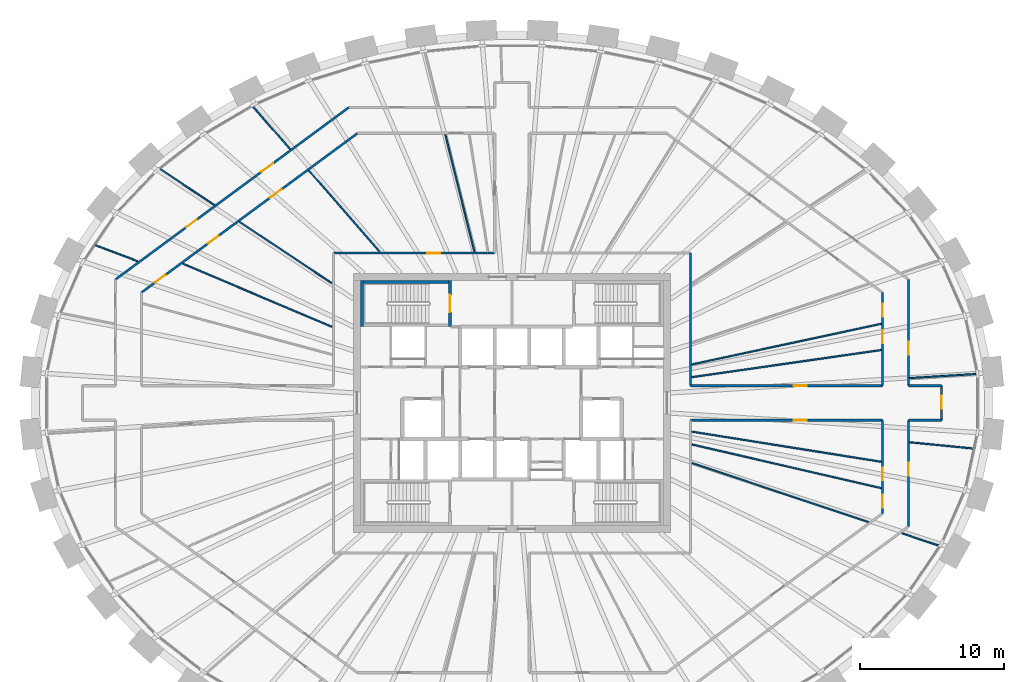
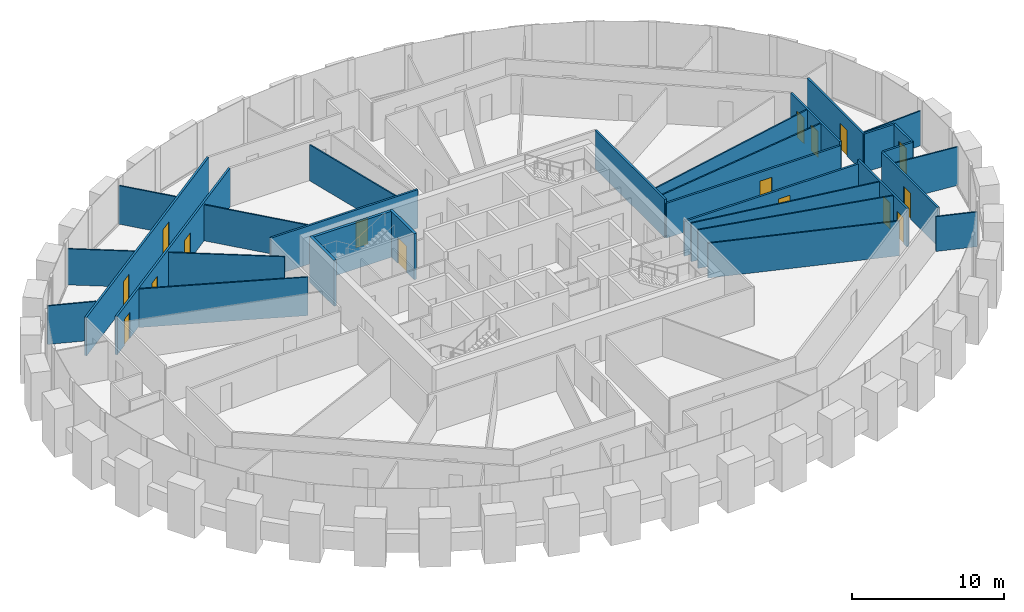
# One storey, part 9 of 12: 31 walls, 16 doors, 16 openings.
"""IFC4 building model written with IfcOpenShell, lengths in metres."""

from ifc_helpers import new_model, si_unit, direction, frame, frame_2d, origin, place, context, subcontext, project, spatial, rectangle, extrude, source, transform, mapped, material, layer, layer_set, type_object, element, fill, save


model = new_model("IFC4")

# Units and contexts
model_context = context("Model", 3, precision=1e-05, world=origin(), true_north=direction((0.0, 1.0)))
body_context = subcontext(model_context, "Body", "Model", "MODEL_VIEW")
ifc_project = project(units=[si_unit("LENGTHUNIT", "METRE"), si_unit("AREAUNIT", "SQUARE_METRE"), si_unit("VOLUMEUNIT", "CUBIC_METRE"), si_unit("PLANEANGLEUNIT", "RADIAN"), si_unit("MASSUNIT", "GRAM", prefix="KILO")], contexts=[model_context])

# Site, building, storey
site_placement = place(None, origin())
site = spatial("IfcSite", under=ifc_project, at=site_placement, CompositionType="ELEMENT")
building_placement = place(site_placement, origin())
building = spatial("IfcBuilding", under=site, at=building_placement, Name="Embergate Tower", CompositionType="ELEMENT")
storey_placement = place(building_placement, frame((0.0, 0.0, 250.0)))
storey = spatial("IfcBuildingStorey", under=building, at=storey_placement, Name="L57", CompositionType="ELEMENT", Elevation=250.0)

# Wall, opening, door
ifc_material_1 = material(Name="Concrete C50", Category="concrete")
ifc_layer_1 = layer(ifc_material_1, 0.199951171875)
ifc_layer_set_1 = layer_set([ifc_layer_1], Name="Concrete C50")
wall_type_1 = type_object("IfcWallType", Name="Stair enclosure wall reinforced concrete 250", PredefinedType="SHEAR", material=ifc_layer_set_1)
shared_shape_1 = source(origin(), body_context, "Body", "SweptSolid", [
    extrude(rectangle(XDim=3.199951171875, YDim=0.199951171875, at=frame_2d((1.60009765625, 0.0))), origin(), (0.0, 0.0, 1.0), 3.699951171875),
])
wall_1_placement = place(storey_placement, frame((-4.300048828125, 5.300048828125, 0.0), z_axis=(0.0, 0.0, 1.0), x_axis=(0.0, 1.0, 0.0)))
wall_1 = element("IfcWall", 1, at=wall_1_placement, inside=storey, type_object=wall_type_1, Name="SE-1 wall", PredefinedType="SHEAR", context=body_context, shape_type="MappedRepresentation", body=[
    mapped(shared_shape_1, transform((0.0, 0.0, 0.0))),
])
shared_shape_2 = source(origin(), body_context, "Body", "SweptSolid", [
    extrude(rectangle(XDim=1.199951171875, YDim=2.10009765625, at=frame_2d((0.60009765625, 1.050048828125))), frame((0.0, 0.10986328125, 0.0), z_axis=(0.0, -1.0, 0.0), x_axis=(1.0, 0.0, 0.0)), (0.0, 0.0, 1.0), 0.219970703125),
])
opening_1_placement = place(wall_1_placement, frame((1.0, 0.0, 0.0)))
opening_1 = element("IfcOpeningElement", 2, at=opening_1_placement, cuts=wall_1, Name="Opening IF-2", PredefinedType="OPENING", context=body_context, shape_type="MappedRepresentation", body=[
    mapped(shared_shape_2, transform((0.0, 0.0, 0.0))),
])
ifc_material_2 = material(Name="Stair enclosure door 1200")
door_type_1 = type_object("IfcDoorType", Name="Stair enclosure door 1200", OperationType="SINGLE_SWING_LEFT", PredefinedType="DOOR", material=ifc_material_2)
shared_shape_3 = source(origin(), body_context, "Body", "SweptSolid", [
    extrude(rectangle(XDim=1.199951171875, YDim=2.10009765625, at=frame_2d((0.60009765625, 1.050048828125))), frame((0.0, 0.02490234375, 0.0), z_axis=(0.0, -1.0, 0.0), x_axis=(1.0, 0.0, 0.0)), (0.0, 0.0, 1.0), 0.050048828125),
])
door_1_placement = place(opening_1_placement, origin())
door_1 = element("IfcDoor", 3, at=door_1_placement, inside=storey, type_object=door_type_1, Name="IF-2 door", OperationType="SINGLE_SWING_LEFT", OverallHeight=2.10009765625, OverallWidth=1.199951171875, PredefinedType="DOOR", context=body_context, shape_type="MappedRepresentation", body=[
    mapped(shared_shape_3, transform((0.0, 0.0, 0.0))),
])
fill(opening_1, door_1)

# Walls
ifc_material_3 = material(Name="Partition dry-lined 100")
ifc_layer_2 = layer(ifc_material_3, 0.10009765625)
ifc_layer_set_2 = layer_set([ifc_layer_2], Name="Partition dry-lined 100")
wall_type_2 = type_object("IfcWallType", Name="Partition dry-lined 100", PredefinedType="PARTITIONING", material=ifc_layer_set_2)
shared_shape_4 = source(origin(), body_context, "Body", "SweptSolid", [
    extrude(rectangle(XDim=8.3916015625, YDim=0.10009765625, at=frame_2d((4.19580078125, 0.0))), origin(), (0.0, 0.0, 1.0), 2.89990234375),
])
wall_2_placement = place(storey_placement, frame((-2.60400390625, 10.487060546875, 0.0), z_axis=(0.0, 0.0, 1.0), x_axis=(-0.241070395173, 0.970507632413, 0.0)))
element("IfcWall", 4, at=wall_2_placement, inside=storey, type_object=wall_type_2, Name="IP-1 wall", PredefinedType="PARTITIONING", context=body_context, shape_type="MappedRepresentation", body=[
    mapped(shared_shape_4, transform((0.0, 0.0, 0.0))),
])
shared_shape_5 = source(origin(), body_context, "Body", "SweptSolid", [
    extrude(rectangle(XDim=4.567138671875, YDim=0.10009765625, at=frame_2d((2.28369140625, 0.0))), origin(), (0.0, 0.0, 1.0), 2.89990234375),
])
wall_3_placement = place(storey_placement, frame((-20.6630859375, 13.742919921875, 0.0), z_axis=(0.0, 0.0, 1.0), x_axis=(-0.832682999304, 0.553749964036, 0.0)))
element("IfcWall", 5, at=wall_3_placement, inside=storey, type_object=wall_type_2, Name="IP-1 wall", PredefinedType="PARTITIONING", context=body_context, shape_type="MappedRepresentation", body=[
    mapped(shared_shape_5, transform((0.0, 0.0, 0.0))),
])
shared_shape_6 = source(origin(), body_context, "Body", "SweptSolid", [
    extrude(rectangle(XDim=7.473876953125, YDim=0.10009765625, at=frame_2d((3.73681640625, 0.0))), origin(), (0.0, 0.0, 1.0), 2.89990234375),
])
wall_4_placement = place(storey_placement, frame((-9.18505859375, 10.508056640625, 0.0), z_axis=(0.0, 0.0, 1.0), x_axis=(-0.658153016014, 0.752884192629, 0.0)))
element("IfcWall", 6, at=wall_4_placement, inside=storey, type_object=wall_type_2, Name="IP-1 wall", PredefinedType="PARTITIONING", context=body_context, shape_type="MappedRepresentation", body=[
    mapped(shared_shape_6, transform((0.0, 0.0, 0.0))),
])
shared_shape_7 = source(origin(), body_context, "Body", "SweptSolid", [
    extrude(rectangle(XDim=7.690185546875, YDim=0.10009765625, at=frame_2d((3.84521484375, 0.0))), origin(), (0.0, 0.0, 1.0), 2.89990234375),
])
wall_5_placement = place(storey_placement, frame((-12.5029296875, 8.31494140625, 0.0), z_axis=(0.0, 0.0, 1.0), x_axis=(-0.83263105363, 0.553828067662, 0.0)))
element("IfcWall", 7, at=wall_5_placement, inside=storey, type_object=wall_type_2, Name="IP-1 wall", PredefinedType="PARTITIONING", context=body_context, shape_type="MappedRepresentation", body=[
    mapped(shared_shape_7, transform((0.0, 0.0, 0.0))),
])
shared_shape_8 = source(origin(), body_context, "Body", "SweptSolid", [
    extrude(rectangle(XDim=6.298095703125, YDim=0.199951171875, at=frame_2d((3.14892578125, 0.0))), origin(), (0.0, 0.0, 1.0), 3.699951171875),
])
wall_6_placement = place(storey_placement, frame((-4.201904296875, 8.39990234375, 0.0), z_axis=(0.0, 0.0, 1.0), x_axis=(-1.0, 0.0, 0.0)))
element("IfcWall", 8, at=wall_6_placement, inside=storey, type_object=wall_type_1, Name="SE-1 wall", PredefinedType="SHEAR", context=body_context, shape_type="MappedRepresentation", body=[
    mapped(shared_shape_8, transform((0.0, 0.0, 0.0))),
])
shared_shape_9 = source(origin(), body_context, "Body", "SweptSolid", [
    extrude(rectangle(XDim=3.197998046875, YDim=0.199951171875, at=frame_2d((1.59912109375, 0.0))), origin(), (0.0, 0.0, 1.0), 3.699951171875),
])
wall_7_placement = place(storey_placement, frame((-10.39990234375, 8.5, 0.0), z_axis=(0.0, 0.0, 1.0), x_axis=(0.0, -1.0, 0.0)))
element("IfcWall", 9, at=wall_7_placement, inside=storey, type_object=wall_type_1, Name="SE-1 wall", PredefinedType="SHEAR", context=body_context, shape_type="MappedRepresentation", body=[
    mapped(shared_shape_9, transform((0.0, 0.0, 0.0))),
])

# Wall, opening, door
ifc_material_4 = material(Name="Corridor wall dry-lined 150 wet")
ifc_layer_3 = layer(ifc_material_4, 0.14990234375)
ifc_layer_set_3 = layer_set([ifc_layer_3], Name="Corridor wall dry-lined 150 wet")
wall_type_3 = type_object("IfcWallType", Name="Corridor wall dry-lined 150 wet", PredefinedType="PLUMBINGWALL", material=ifc_layer_set_3)
shared_shape_10 = source(origin(), body_context, "Body", "SweptSolid", [
    extrude(rectangle(XDim=7.381103515625, YDim=0.14990234375, at=frame_2d((3.6904296875, 0.0))), origin(), (0.0, 0.0, 1.0), 3.10009765625),
])
wall_8_placement = place(storey_placement, frame((27.510986328125, -8.5810546875, 0.0), z_axis=(0.0, 0.0, 1.0), x_axis=(0.0, 1.0, 0.0)))
wall_8 = element("IfcWall", 10, at=wall_8_placement, inside=storey, type_object=wall_type_3, Name="IP-2 wall", PredefinedType="PLUMBINGWALL", context=body_context, shape_type="MappedRepresentation", body=[
    mapped(shared_shape_10, transform((0.0, 0.0, 0.0))),
])
shared_shape_11 = source(origin(), body_context, "Body", "SweptSolid", [
    extrude(rectangle(XDim=0.89990234375, YDim=2.10009765625, at=frame_2d((0.449951171875, 1.050048828125))), frame((0.0, 0.0849609375, 0.0), z_axis=(0.0, -1.0, 0.0), x_axis=(1.0, 0.0, 0.0)), (0.0, 0.0, 1.0), 0.169921875),
])
opening_2_placement = place(wall_8_placement, frame((3.533447265625, 0.0, 0.0)))
opening_2 = element("IfcOpeningElement", 11, at=opening_2_placement, cuts=wall_8, Name="Opening IF-1c", PredefinedType="OPENING", context=body_context, shape_type="MappedRepresentation", body=[
    mapped(shared_shape_11, transform((0.0, 0.0, 0.0))),
])
ifc_material_5 = material(Name="Escape fire door 900")
door_type_2 = type_object("IfcDoorType", Name="Escape fire door 900", OperationType="SINGLE_SWING_LEFT", PredefinedType="DOOR", material=ifc_material_5)
shared_shape_12 = source(origin(), body_context, "Body", "SweptSolid", [
    extrude(rectangle(XDim=0.89990234375, YDim=2.10009765625, at=frame_2d((0.449951171875, 1.050048828125))), frame((0.0, 0.02490234375, 0.0), z_axis=(0.0, -1.0, 0.0), x_axis=(1.0, 0.0, 0.0)), (0.0, 0.0, 1.0), 0.050048828125),
])
door_2_placement = place(opening_2_placement, origin())
door_2 = element("IfcDoor", 12, at=door_2_placement, inside=storey, type_object=door_type_2, Name="IF-1 door", OperationType="SINGLE_SWING_RIGHT", OverallHeight=2.10009765625, OverallWidth=0.89990234375, PredefinedType="DOOR", context=body_context, shape_type="MappedRepresentation", body=[
    mapped(shared_shape_12, transform((0.0, 0.0, 0.0))),
])
fill(opening_2, door_2)

wall_9_placement = place(storey_placement, frame((27.510986328125, 1.199951171875, 0.0), z_axis=(0.0, 0.0, 1.0), x_axis=(0.0, 1.0, 0.0)))
wall_9 = element("IfcWall", 13, at=wall_9_placement, inside=storey, type_object=wall_type_3, Name="IP-2 wall", PredefinedType="PLUMBINGWALL", context=body_context, shape_type="MappedRepresentation", body=[
    mapped(shared_shape_10, transform((0.0, 0.0, 0.0))),
])
opening_3_placement = place(wall_9_placement, frame((2.159912109375, 0.0, 0.0)))
opening_3 = element("IfcOpeningElement", 14, at=opening_3_placement, cuts=wall_9, Name="Opening IF-1c", PredefinedType="OPENING", context=body_context, shape_type="MappedRepresentation", body=[
    mapped(shared_shape_11, transform((0.0, 0.0, 0.0))),
])
door_3_placement = place(opening_3_placement, origin())
door_3 = element("IfcDoor", 15, at=door_3_placement, inside=storey, type_object=door_type_2, Name="IF-1 door", OperationType="SINGLE_SWING_RIGHT", OverallHeight=2.10009765625, OverallWidth=0.89990234375, PredefinedType="DOOR", context=body_context, shape_type="MappedRepresentation", body=[
    mapped(shared_shape_12, transform((0.0, 0.0, 0.0))),
])
fill(opening_3, door_3)

# Wall, openings, doors
ifc_material_6 = material(Name="Corridor wall dry-lined 150")
ifc_layer_4 = layer(ifc_material_6, 0.14990234375)
ifc_layer_set_4 = layer_set([ifc_layer_4], Name="Corridor wall dry-lined 150")
wall_type_4 = type_object("IfcWallType", Name="Corridor wall dry-lined 150", PredefinedType="PARTITIONING", material=ifc_layer_set_4)
shared_shape_13 = source(origin(), body_context, "Body", "SweptSolid", [
    extrude(rectangle(XDim=20.116455078125, YDim=0.14990234375, at=frame_2d((10.05810546875, 0.0))), origin(), (0.0, 0.0, 1.0), 3.10009765625),
])
wall_10_placement = place(storey_placement, frame((-27.510986328125, 8.5810546875, 0.0), z_axis=(0.0, 0.0, 1.0), x_axis=(0.804910001979, 0.593396906559, 0.0)))
wall_10 = element("IfcWall", 16, at=wall_10_placement, inside=storey, type_object=wall_type_4, Name="IP-2 wall", PredefinedType="PARTITIONING", context=body_context, shape_type="MappedRepresentation", body=[
    mapped(shared_shape_13, transform((0.0, 0.0, 0.0))),
])
shared_shape_14 = source(origin(), body_context, "Body", "SweptSolid", [
    extrude(rectangle(XDim=1.0, YDim=2.10009765625, at=frame_2d((0.5, 1.050048828125))), frame((0.0, 0.0849609375, 0.0), z_axis=(0.0, -1.0, 0.0), x_axis=(1.0, 0.0, 0.0)), (0.0, 0.0, 1.0), 0.169921875),
])
opening_4_placement = place(wall_10_placement, frame((12.591552734375, 0.0, 0.0)))
opening_4 = element("IfcOpeningElement", 17, at=opening_4_placement, cuts=wall_10, Name="Opening ID-2", PredefinedType="OPENING", context=body_context, shape_type="MappedRepresentation", body=[
    mapped(shared_shape_14, transform((0.0, 0.0, 0.0))),
])
opening_5_placement = place(wall_10_placement, frame((6.0927734375, 0.0, 0.0)))
opening_5 = element("IfcOpeningElement", 18, at=opening_5_placement, cuts=wall_10, Name="Opening IF-1c", PredefinedType="OPENING", context=body_context, shape_type="MappedRepresentation", body=[
    mapped(shared_shape_11, transform((0.0, 0.0, 0.0))),
])
door_4_placement = place(opening_5_placement, origin())
door_4 = element("IfcDoor", 19, at=door_4_placement, inside=storey, type_object=door_type_2, Name="IF-1 door", OperationType="SINGLE_SWING_LEFT", OverallHeight=2.10009765625, OverallWidth=0.89990234375, PredefinedType="DOOR", context=body_context, shape_type="MappedRepresentation", body=[
    mapped(shared_shape_12, transform((0.0, 0.0, 0.0))),
])
fill(opening_5, door_4)
ifc_material_7 = material(Name="Interior door 1000")
door_type_3 = type_object("IfcDoorType", Name="Interior door 1000", OperationType="SINGLE_SWING_LEFT", PredefinedType="DOOR", material=ifc_material_7)
shared_shape_15 = source(origin(), body_context, "Body", "SweptSolid", [
    extrude(rectangle(XDim=1.0, YDim=2.10009765625, at=frame_2d((0.5, 1.050048828125))), frame((0.0, 0.02490234375, 0.0), z_axis=(0.0, -1.0, 0.0), x_axis=(1.0, 0.0, 0.0)), (0.0, 0.0, 1.0), 0.050048828125),
])
door_5_placement = place(opening_4_placement, origin())
door_5 = element("IfcDoor", 20, at=door_5_placement, inside=storey, type_object=door_type_3, Name="ID-2 door", OperationType="SINGLE_SWING_LEFT", OverallHeight=2.10009765625, OverallWidth=1.0, PredefinedType="DOOR", context=body_context, shape_type="MappedRepresentation", body=[
    mapped(shared_shape_15, transform((0.0, 0.0, 0.0))),
])
fill(opening_4, door_5)

shared_shape_16 = source(origin(), body_context, "Body", "SweptSolid", [
    extrude(rectangle(XDim=18.615966796875, YDim=0.14990234375, at=frame_2d((9.30810546875, 0.0))), origin(), (0.0, 0.0, 1.0), 3.10009765625),
])
wall_11_placement = place(storey_placement, frame((-25.7109375, 7.6708984375, 0.0), z_axis=(0.0, 0.0, 1.0), x_axis=(0.804892640185, 0.593420456149, 0.0)))
wall_11 = element("IfcWall", 21, at=wall_11_placement, inside=storey, type_object=wall_type_4, Name="IP-2 wall", PredefinedType="PARTITIONING", context=body_context, shape_type="MappedRepresentation", body=[
    mapped(shared_shape_16, transform((0.0, 0.0, 0.0))),
])
opening_6_placement = place(wall_11_placement, frame((11.076904296875, 0.0, 0.0)))
opening_6 = element("IfcOpeningElement", 22, at=opening_6_placement, cuts=wall_11, Name="Opening ID-2", PredefinedType="OPENING", context=body_context, shape_type="MappedRepresentation", body=[
    mapped(shared_shape_14, transform((0.0, 0.0, 0.0))),
])
opening_7_placement = place(wall_11_placement, frame((5.718994140625, 0.0, 0.0)))
opening_7 = element("IfcOpeningElement", 23, at=opening_7_placement, cuts=wall_11, Name="Opening IF-1c", PredefinedType="OPENING", context=body_context, shape_type="MappedRepresentation", body=[
    mapped(shared_shape_11, transform((0.0, 0.0, 0.0))),
])
opening_8_placement = place(wall_11_placement, frame((1.172119140625, 0.0, 0.0)))
opening_8 = element("IfcOpeningElement", 24, at=opening_8_placement, cuts=wall_11, Name="Opening IF-1c", PredefinedType="OPENING", context=body_context, shape_type="MappedRepresentation", body=[
    mapped(shared_shape_11, transform((0.0, 0.0, 0.0))),
])
door_6_placement = place(opening_7_placement, origin())
door_6 = element("IfcDoor", 25, at=door_6_placement, inside=storey, type_object=door_type_2, Name="IF-1 door", OperationType="SINGLE_SWING_LEFT", OverallHeight=2.10009765625, OverallWidth=0.89990234375, PredefinedType="DOOR", context=body_context, shape_type="MappedRepresentation", body=[
    mapped(shared_shape_12, transform((0.0, 0.0, 0.0))),
])
fill(opening_7, door_6)
door_7_placement = place(opening_8_placement, origin())
door_7 = element("IfcDoor", 26, at=door_7_placement, inside=storey, type_object=door_type_2, Name="IF-1 door", OperationType="SINGLE_SWING_RIGHT", OverallHeight=2.10009765625, OverallWidth=0.89990234375, PredefinedType="DOOR", context=body_context, shape_type="MappedRepresentation", body=[
    mapped(shared_shape_12, transform((0.0, 0.0, 0.0))),
])
fill(opening_8, door_7)
door_8_placement = place(opening_6_placement, origin())
door_8 = element("IfcDoor", 27, at=door_8_placement, inside=storey, type_object=door_type_3, Name="ID-2 door", OperationType="SINGLE_SWING_RIGHT", OverallHeight=2.10009765625, OverallWidth=1.0, PredefinedType="DOOR", context=body_context, shape_type="MappedRepresentation", body=[
    mapped(shared_shape_15, transform((0.0, 0.0, 0.0))),
])
fill(opening_6, door_8)

# Wall
shared_shape_17 = source(origin(), body_context, "Body", "SweptSolid", [
    extrude(rectangle(XDim=9.199951171875, YDim=0.14990234375, at=frame_2d((4.60009765625, 0.0))), origin(), (0.0, 0.0, 1.0), 3.10009765625),
])
wall_12_placement = place(storey_placement, frame((12.39990234375, 1.199951171875, 0.0), z_axis=(0.0, 0.0, 1.0), x_axis=(0.0, 1.0, 0.0)))
element("IfcWall", 28, at=wall_12_placement, inside=storey, type_object=wall_type_3, Name="IP-2 wall", PredefinedType="PLUMBINGWALL", context=body_context, shape_type="MappedRepresentation", body=[
    mapped(shared_shape_17, transform((0.0, 0.0, 0.0))),
])

# Wall, opening, door
shared_shape_18 = source(origin(), body_context, "Body", "SweptSolid", [
    extrude(rectangle(XDim=11.199951171875, YDim=0.14990234375, at=frame_2d((5.60009765625, 0.0))), origin(), (0.0, 0.0, 1.0), 3.10009765625),
])
wall_13_placement = place(storey_placement, frame((-12.39990234375, 10.39990234375, 0.0), z_axis=(0.0, 0.0, 1.0), x_axis=(1.0, 0.0, 0.0)))
wall_13 = element("IfcWall", 29, at=wall_13_placement, inside=storey, type_object=wall_type_4, Name="IP-2 wall", PredefinedType="PARTITIONING", context=body_context, shape_type="MappedRepresentation", body=[
    mapped(shared_shape_18, transform((0.0, 0.0, 0.0))),
])
opening_9_placement = place(wall_13_placement, frame((6.513916015625, 0.0, 0.0)))
opening_9 = element("IfcOpeningElement", 30, at=opening_9_placement, cuts=wall_13, Name="Opening IF-1c", PredefinedType="OPENING", context=body_context, shape_type="MappedRepresentation", body=[
    mapped(shared_shape_11, transform((0.0, 0.0, 0.0))),
])
door_9_placement = place(opening_9_placement, origin())
door_9 = element("IfcDoor", 31, at=door_9_placement, inside=storey, type_object=door_type_2, Name="IF-1 door", OperationType="SINGLE_SWING_RIGHT", OverallHeight=2.10009765625, OverallWidth=0.89990234375, PredefinedType="DOOR", context=body_context, shape_type="MappedRepresentation", body=[
    mapped(shared_shape_12, transform((0.0, 0.0, 0.0))),
])
fill(opening_9, door_9)

shared_shape_19 = source(origin(), body_context, "Body", "SweptSolid", [
    extrude(rectangle(XDim=2.39990234375, YDim=0.14990234375, at=frame_2d((1.199951171875, 0.0))), origin(), (0.0, 0.0, 1.0), 3.10009765625),
])
wall_14_placement = place(storey_placement, frame((29.803955078125, -1.199951171875, 0.0), z_axis=(0.0, 0.0, 1.0), x_axis=(0.0, 1.0, 0.0)))
wall_14 = element("IfcWall", 32, at=wall_14_placement, inside=storey, type_object=wall_type_3, Name="IP-2 wall", PredefinedType="PLUMBINGWALL", context=body_context, shape_type="MappedRepresentation", body=[
    mapped(shared_shape_19, transform((0.0, 0.0, 0.0))),
])
opening_10_placement = place(wall_14_placement, frame((0.794921875, 0.0, 0.0)))
opening_10 = element("IfcOpeningElement", 33, at=opening_10_placement, cuts=wall_14, Name="Opening IF-1c", PredefinedType="OPENING", context=body_context, shape_type="MappedRepresentation", body=[
    mapped(shared_shape_11, transform((0.0, 0.0, 0.0))),
])
door_10_placement = place(opening_10_placement, origin())
door_10 = element("IfcDoor", 34, at=door_10_placement, inside=storey, type_object=door_type_2, Name="IF-1 door", OperationType="SINGLE_SWING_RIGHT", OverallHeight=2.10009765625, OverallWidth=0.89990234375, PredefinedType="DOOR", context=body_context, shape_type="MappedRepresentation", body=[
    mapped(shared_shape_12, transform((0.0, 0.0, 0.0))),
])
fill(opening_10, door_10)

# Walls
shared_shape_20 = source(origin(), body_context, "Body", "SweptSolid", [
    extrude(rectangle(XDim=2.29296875, YDim=0.14990234375, at=frame_2d((1.146484375, 0.0))), origin(), (0.0, 0.0, 1.0), 3.10009765625),
])
for number, where, z_axis, x_axis, name in (
    (35, (27.510986328125, -1.199951171875, 0.0), (0.0, 0.0, 1.0), (1.0, 0.0, 0.0), "IP-2 wall"),
    (36, (29.803955078125, 1.199951171875, 0.0), (0.0, 0.0, 1.0), (-1.0, 0.0, 0.0), "IP-2 wall"),
):
    element("IfcWall", number, at=place(storey_placement, frame(where, z_axis=z_axis, x_axis=x_axis)), inside=storey, type_object=wall_type_3, Name=name, PredefinedType="PLUMBINGWALL", context=body_context, shape_type="MappedRepresentation", body=[
        mapped(shared_shape_20, transform((0.0, 0.0, 0.0))),
    ])

# Wall, openings, doors
shared_shape_21 = source(origin(), body_context, "Body", "SweptSolid", [
    extrude(rectangle(XDim=6.470947265625, YDim=0.14990234375, at=frame_2d((3.2353515625, 0.0))), origin(), (0.0, 0.0, 1.0), 3.10009765625),
])
wall_15_placement = place(storey_placement, frame((25.7109375, 7.6708984375, 0.0), z_axis=(0.0, 0.0, 1.0), x_axis=(0.0, -1.0, 0.0)))
wall_15 = element("IfcWall", 37, at=wall_15_placement, inside=storey, type_object=wall_type_3, Name="IP-2 wall", PredefinedType="PLUMBINGWALL", context=body_context, shape_type="MappedRepresentation", body=[
    mapped(shared_shape_21, transform((0.0, 0.0, 0.0))),
])
opening_11_placement = place(wall_15_placement, frame((2.63623046875, 0.0, 0.0)))
opening_11 = element("IfcOpeningElement", 38, at=opening_11_placement, cuts=wall_15, Name="Opening IF-1c", PredefinedType="OPENING", context=body_context, shape_type="MappedRepresentation", body=[
    mapped(shared_shape_11, transform((0.0, 0.0, 0.0))),
])
opening_12_placement = place(wall_15_placement, frame((0.789306640625, 0.0, 0.0)))
opening_12 = element("IfcOpeningElement", 39, at=opening_12_placement, cuts=wall_15, Name="Opening IF-1c", PredefinedType="OPENING", context=body_context, shape_type="MappedRepresentation", body=[
    mapped(shared_shape_11, transform((0.0, 0.0, 0.0))),
])
door_11_placement = place(opening_11_placement, origin())
door_11 = element("IfcDoor", 40, at=door_11_placement, inside=storey, type_object=door_type_2, Name="IF-1 door", OperationType="SINGLE_SWING_LEFT", OverallHeight=2.10009765625, OverallWidth=0.89990234375, PredefinedType="DOOR", context=body_context, shape_type="MappedRepresentation", body=[
    mapped(shared_shape_12, transform((0.0, 0.0, 0.0))),
])
fill(opening_11, door_11)
door_12_placement = place(opening_12_placement, origin())
door_12 = element("IfcDoor", 41, at=door_12_placement, inside=storey, type_object=door_type_2, Name="IF-1 door", OperationType="SINGLE_SWING_RIGHT", OverallHeight=2.10009765625, OverallWidth=0.89990234375, PredefinedType="DOOR", context=body_context, shape_type="MappedRepresentation", body=[
    mapped(shared_shape_12, transform((0.0, 0.0, 0.0))),
])
fill(opening_12, door_12)

wall_16_placement = place(storey_placement, frame((25.7109375, -1.199951171875, 0.0), z_axis=(0.0, 0.0, 1.0), x_axis=(0.0, -1.0, 0.0)))
wall_16 = element("IfcWall", 42, at=wall_16_placement, inside=storey, type_object=wall_type_3, Name="IP-2 wall", PredefinedType="PLUMBINGWALL", context=body_context, shape_type="MappedRepresentation", body=[
    mapped(shared_shape_21, transform((0.0, 0.0, 0.0))),
])
opening_13_placement = place(wall_16_placement, frame((5.159912109375, 0.0, 0.0)))
opening_13 = element("IfcOpeningElement", 43, at=opening_13_placement, cuts=wall_16, Name="Opening IF-1c", PredefinedType="OPENING", context=body_context, shape_type="MappedRepresentation", body=[
    mapped(shared_shape_11, transform((0.0, 0.0, 0.0))),
])
opening_14_placement = place(wall_16_placement, frame((3.277099609375, 0.0, 0.0)))
opening_14 = element("IfcOpeningElement", 44, at=opening_14_placement, cuts=wall_16, Name="Opening IF-1c", PredefinedType="OPENING", context=body_context, shape_type="MappedRepresentation", body=[
    mapped(shared_shape_11, transform((0.0, 0.0, 0.0))),
])
door_13_placement = place(opening_13_placement, origin())
door_13 = element("IfcDoor", 45, at=door_13_placement, inside=storey, type_object=door_type_2, Name="IF-1 door", OperationType="SINGLE_SWING_RIGHT", OverallHeight=2.10009765625, OverallWidth=0.89990234375, PredefinedType="DOOR", context=body_context, shape_type="MappedRepresentation", body=[
    mapped(shared_shape_12, transform((0.0, 0.0, 0.0))),
])
fill(opening_13, door_13)
door_14_placement = place(opening_14_placement, origin())
door_14 = element("IfcDoor", 46, at=door_14_placement, inside=storey, type_object=door_type_2, Name="IF-1 door", OperationType="SINGLE_SWING_RIGHT", OverallHeight=2.10009765625, OverallWidth=0.89990234375, PredefinedType="DOOR", context=body_context, shape_type="MappedRepresentation", body=[
    mapped(shared_shape_12, transform((0.0, 0.0, 0.0))),
])
fill(opening_14, door_14)

# Wall, opening, door
shared_shape_22 = source(origin(), body_context, "Body", "SweptSolid", [
    extrude(rectangle(XDim=13.31103515625, YDim=0.14990234375, at=frame_2d((6.655517578125, 0.0))), origin(), (0.0, 0.0, 1.0), 2.800048828125),
])
wall_17_placement = place(storey_placement, frame((25.7109375, 1.199951171875, 0.0), z_axis=(0.0, 0.0, 1.0), x_axis=(-1.0, 0.0, 0.0)))
wall_17 = element("IfcWall", 47, at=wall_17_placement, inside=storey, type_object=wall_type_3, Name="IP-2 wall", PredefinedType="PLUMBINGWALL", context=body_context, shape_type="MappedRepresentation", body=[
    mapped(shared_shape_22, transform((0.0, 0.0, 0.0))),
])
opening_15_placement = place(wall_17_placement, frame((5.260498046875, 0.0, 0.0)))
opening_15 = element("IfcOpeningElement", 48, at=opening_15_placement, cuts=wall_17, Name="Opening IF-1c", PredefinedType="OPENING", context=body_context, shape_type="MappedRepresentation", body=[
    mapped(shared_shape_11, transform((0.0, 0.0, 0.0))),
])
door_15_placement = place(opening_15_placement, origin())
door_15 = element("IfcDoor", 49, at=door_15_placement, inside=storey, type_object=door_type_2, Name="IF-1 door", OperationType="SINGLE_SWING_LEFT", OverallHeight=2.10009765625, OverallWidth=0.89990234375, PredefinedType="DOOR", context=body_context, shape_type="MappedRepresentation", body=[
    mapped(shared_shape_12, transform((0.0, 0.0, 0.0))),
])
fill(opening_15, door_15)

wall_18_placement = place(storey_placement, frame((25.7109375, -1.199951171875, 0.0), z_axis=(0.0, 0.0, 1.0), x_axis=(-1.0, 0.0, 0.0)))
wall_18 = element("IfcWall", 50, at=wall_18_placement, inside=storey, type_object=wall_type_3, Name="IP-2 wall", PredefinedType="PLUMBINGWALL", context=body_context, shape_type="MappedRepresentation", body=[
    mapped(shared_shape_22, transform((0.0, 0.0, 0.0))),
])
opening_16_placement = place(wall_18_placement, frame((5.260498046875, 0.0, 0.0)))
opening_16 = element("IfcOpeningElement", 51, at=opening_16_placement, cuts=wall_18, Name="Opening IF-1c", PredefinedType="OPENING", context=body_context, shape_type="MappedRepresentation", body=[
    mapped(shared_shape_11, transform((0.0, 0.0, 0.0))),
])
door_16_placement = place(opening_16_placement, origin())
door_16 = element("IfcDoor", 52, at=door_16_placement, inside=storey, type_object=door_type_2, Name="IF-1 door", OperationType="SINGLE_SWING_RIGHT", OverallHeight=2.10009765625, OverallWidth=0.89990234375, PredefinedType="DOOR", context=body_context, shape_type="MappedRepresentation", body=[
    mapped(shared_shape_12, transform((0.0, 0.0, 0.0))),
])
fill(opening_16, door_16)

# Walls
ifc_material_8 = material(Name="Partition dry-lined 100 wet")
ifc_layer_5 = layer(ifc_material_8, 0.10009765625)
ifc_layer_set_5 = layer_set([ifc_layer_5], Name="Partition dry-lined 100 wet")
wall_type_5 = type_object("IfcWallType", Name="Partition dry-lined 100 wet", PredefinedType="PLUMBINGWALL", material=ifc_layer_set_5)
shared_shape_23 = source(origin(), body_context, "Body", "SweptSolid", [
    extrude(rectangle(XDim=2.779296875, YDim=0.10009765625, at=frame_2d((1.3896484375, 0.0))), origin(), (0.0, 0.0, 1.0), 2.800048828125),
])
wall_19_placement = place(storey_placement, frame((29.696044921875, -9.923095703125, 0.0), z_axis=(0.0, 0.0, 1.0), x_axis=(-0.9484194456, 0.317018225356, 0.0)))
element("IfcWall", 53, at=wall_19_placement, inside=storey, type_object=wall_type_5, Name="IP-1 wall", PredefinedType="PLUMBINGWALL", context=body_context, shape_type="MappedRepresentation", body=[
    mapped(shared_shape_23, transform((0.0, 0.0, 0.0))),
])
shared_shape_24 = source(origin(), body_context, "Body", "SweptSolid", [
    extrude(rectangle(XDim=12.906005859375, YDim=0.10009765625, at=frame_2d((6.453125, 0.0))), origin(), (0.0, 0.0, 1.0), 2.800048828125),
])
wall_20_placement = place(storey_placement, frame((24.73193359375, -8.263916015625, 0.0), z_axis=(0.0, 0.0, 1.0), x_axis=(-0.948461740931, 0.316891662859, 0.0)))
element("IfcWall", 54, at=wall_20_placement, inside=storey, type_object=wall_type_5, Name="IP-1 wall", PredefinedType="PLUMBINGWALL", context=body_context, shape_type="MappedRepresentation", body=[
    mapped(shared_shape_24, transform((0.0, 0.0, 0.0))),
])
shared_shape_25 = source(origin(), body_context, "Body", "SweptSolid", [
    extrude(rectangle(XDim=4.569091796875, YDim=0.10009765625, at=frame_2d((2.28466796875, 0.0))), origin(), (0.0, 0.0, 1.0), 3.10009765625),
])
wall_21_placement = place(storey_placement, frame((32.133056640625, -3.1708984375, 0.0), z_axis=(0.0, 0.0, 1.0), x_axis=(-0.995181611361, 0.098048765468, 0.0)))
element("IfcWall", 55, at=wall_21_placement, inside=storey, type_object=wall_type_5, Name="IP-1 wall", PredefinedType="PLUMBINGWALL", context=body_context, shape_type="MappedRepresentation", body=[
    mapped(shared_shape_25, transform((0.0, 0.0, 0.0))),
])
shared_shape_26 = source(origin(), body_context, "Body", "SweptSolid", [
    extrude(rectangle(XDim=4.71923828125, YDim=0.10009765625, at=frame_2d((2.359619140625, 0.0))), origin(), (0.0, 0.0, 1.0), 2.800048828125),
])
wall_22_placement = place(storey_placement, frame((27.5859375, 1.72509765625, 0.0), z_axis=(0.0, 0.0, 1.0), x_axis=(0.998058210831, 0.062288103143, 0.0)))
element("IfcWall", 56, at=wall_22_placement, inside=storey, type_object=wall_type_5, Name="IP-1 wall", PredefinedType="PLUMBINGWALL", context=body_context, shape_type="MappedRepresentation", body=[
    mapped(shared_shape_26, transform((0.0, 0.0, 0.0))),
])
shared_shape_27 = source(origin(), body_context, "Body", "SweptSolid", [
    extrude(rectangle(XDim=13.281494140625, YDim=0.10009765625, at=frame_2d((6.640625, 0.0))), origin(), (0.0, 0.0, 1.0), 3.10009765625),
])
wall_23_placement = place(storey_placement, frame((12.48193359375, 1.791015625, 0.0), z_axis=(0.0, 0.0, 1.0), x_axis=(0.989866605663, 0.142000362651, 0.0)))
element("IfcWall", 57, at=wall_23_placement, inside=storey, type_object=wall_type_5, Name="IP-1 wall", PredefinedType="PLUMBINGWALL", context=body_context, shape_type="MappedRepresentation", body=[
    mapped(shared_shape_27, transform((0.0, 0.0, 0.0))),
])
shared_shape_28 = source(origin(), body_context, "Body", "SweptSolid", [
    extrude(rectangle(XDim=13.438720703125, YDim=0.10009765625, at=frame_2d((6.71923828125, 0.0))), origin(), (0.0, 0.0, 1.0), 3.10009765625),
])
wall_24_placement = place(storey_placement, frame((12.486083984375, 2.677978515625, 0.0), z_axis=(0.0, 0.0, 1.0), x_axis=(0.977765444558, 0.209701538926, 0.0)))
element("IfcWall", 58, at=wall_24_placement, inside=storey, type_object=wall_type_5, Name="IP-1 wall", PredefinedType="PLUMBINGWALL", context=body_context, shape_type="MappedRepresentation", body=[
    mapped(shared_shape_28, transform((0.0, 0.0, 0.0))),
])
shared_shape_29 = source(origin(), body_context, "Body", "SweptSolid", [
    extrude(rectangle(XDim=13.48388671875, YDim=0.10009765625, at=frame_2d((6.741943359375, 0.0))), origin(), (0.0, 0.0, 1.0), 3.10009765625),
])
wall_25_placement = place(storey_placement, frame((12.486083984375, -2.87890625, 0.0), z_axis=(0.0, 0.0, 1.0), x_axis=(0.974424142675, -0.224716688681, 0.0)))
element("IfcWall", 59, at=wall_25_placement, inside=storey, type_object=wall_type_5, Name="IP-1 wall", PredefinedType="PLUMBINGWALL", context=body_context, shape_type="MappedRepresentation", body=[
    mapped(shared_shape_29, transform((0.0, 0.0, 0.0))),
])
shared_shape_30 = source(origin(), body_context, "Body", "SweptSolid", [
    extrude(rectangle(XDim=13.3115234375, YDim=0.10009765625, at=frame_2d((6.65576171875, 0.0))), origin(), (0.0, 0.0, 1.0), 3.10009765625),
])
wall_26_placement = place(storey_placement, frame((12.48291015625, -1.987060546875, 0.0), z_axis=(0.0, 0.0, 1.0), x_axis=(0.987561543038, -0.157232944108, 0.0)))
element("IfcWall", 60, at=wall_26_placement, inside=storey, type_object=wall_type_5, Name="IP-1 wall", PredefinedType="PLUMBINGWALL", context=body_context, shape_type="MappedRepresentation", body=[
    mapped(shared_shape_30, transform((0.0, 0.0, 0.0))),
])
shared_shape_31 = source(origin(), body_context, "Body", "SweptSolid", [
    extrude(rectangle(XDim=4.01123046875, YDim=0.10009765625, at=frame_2d((2.005615234375, 0.0))), origin(), (0.0, 0.0, 1.0), 3.10009765625),
])
wall_27_placement = place(storey_placement, frame((-15.39111328125, 17.60791015625, 0.0), z_axis=(0.0, 0.0, 1.0), x_axis=(-0.658133951354, 0.752900858065, 0.0)))
element("IfcWall", 61, at=wall_27_placement, inside=storey, type_object=wall_type_2, Name="IP-1 wall", PredefinedType="PARTITIONING", context=body_context, shape_type="MappedRepresentation", body=[
    mapped(shared_shape_31, transform((0.0, 0.0, 0.0))),
])
shared_shape_32 = source(origin(), body_context, "Body", "SweptSolid", [
    extrude(rectangle(XDim=3.279541015625, YDim=0.10009765625, at=frame_2d((1.6396484375, 0.0))), origin(), (0.0, 0.0, 1.0), 3.10009765625),
])
wall_28_placement = place(storey_placement, frame((-25.97705078125, 9.839111328125, 0.0), z_axis=(0.0, 0.0, 1.0), x_axis=(-0.935143004526, 0.354270463186, 0.0)))
element("IfcWall", 62, at=wall_28_placement, inside=storey, type_object=wall_type_2, Name="IP-1 wall", PredefinedType="PARTITIONING", context=body_context, shape_type="MappedRepresentation", body=[
    mapped(shared_shape_32, transform((0.0, 0.0, 0.0))),
])
shared_shape_33 = source(origin(), body_context, "Body", "SweptSolid", [
    extrude(rectangle(XDim=11.22998046875, YDim=0.10009765625, at=frame_2d((5.614990234375, 0.0))), origin(), (0.0, 0.0, 1.0), 3.10009765625),
])
wall_29_placement = place(storey_placement, frame((-12.4951171875, 5.2880859375, 0.0), z_axis=(0.0, 0.0, 1.0), x_axis=(-0.920916834358, 0.389759136128, 0.0)))
element("IfcWall", 63, at=wall_29_placement, inside=storey, type_object=wall_type_2, Name="IP-1 wall", PredefinedType="PARTITIONING", context=body_context, shape_type="MappedRepresentation", body=[
    mapped(shared_shape_33, transform((0.0, 0.0, 0.0))),
])

save(model, "model.ifc")
